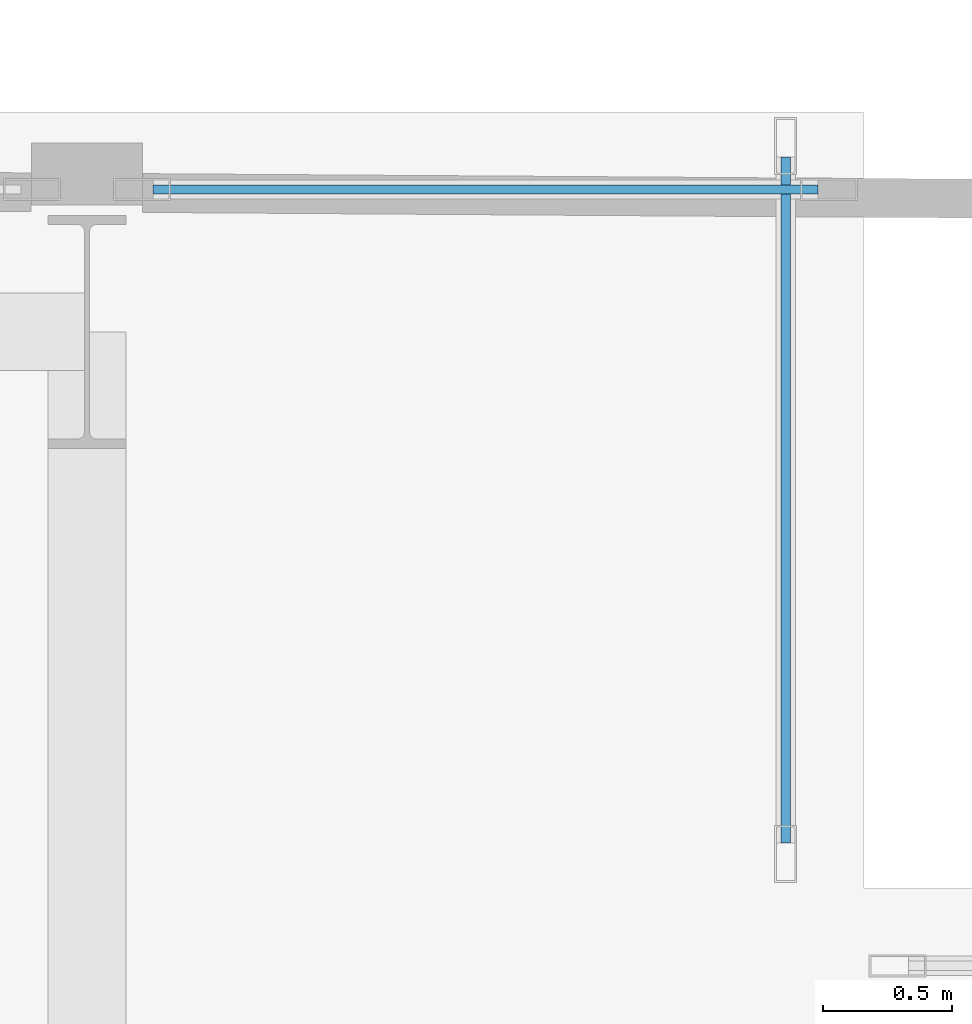
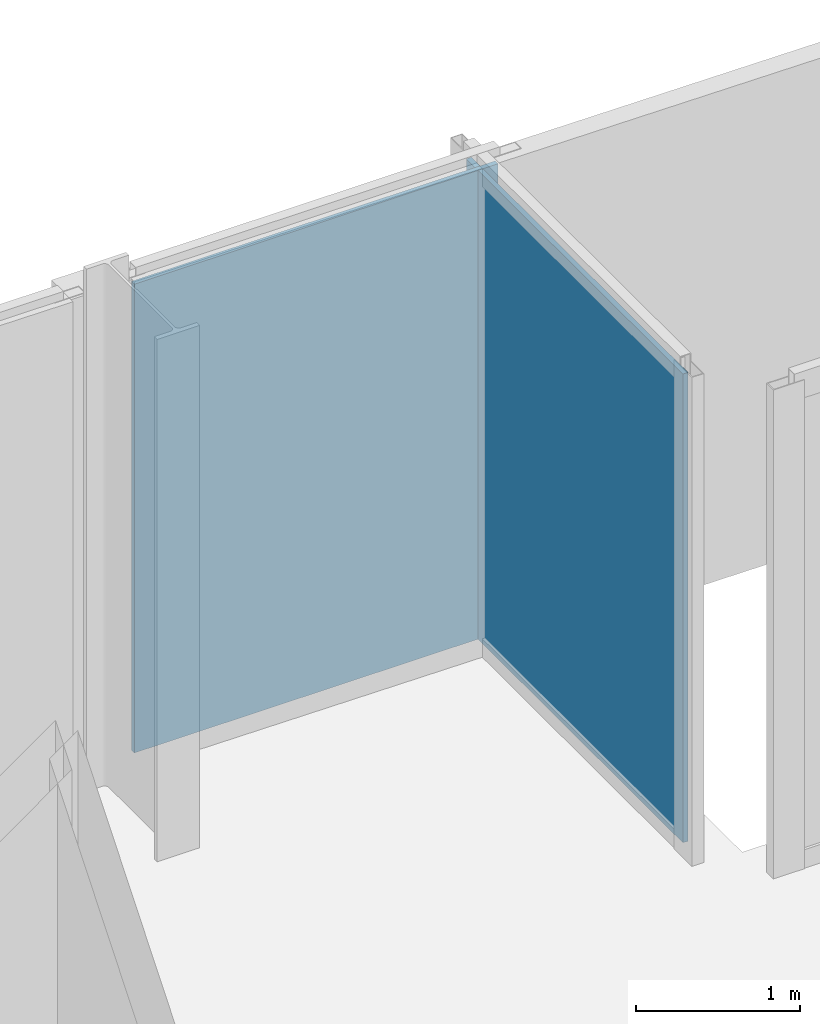
# One storey, part 18 of 27: 2 plates, 2 elements without a shape of their own.
"""IFC4 building model written with IfcOpenShell, lengths in metres."""

from ifc_helpers import new_model, si_unit, direction, frame, origin, origin_2d, place, context, subcontext, project, spatial, rectangle, extrude, material, layer, layer_set, type_object, element, aggregate, save


model = new_model("IFC4")

# Units and contexts
model_context = context("Model", 3, precision=1e-05, world=origin(), true_north=direction((0.0, 1.0)))
body_context = subcontext(model_context, "Body", "Model", "MODEL_VIEW")
ifc_project = project(units=[si_unit("LENGTHUNIT", "METRE"), si_unit("AREAUNIT", "SQUARE_METRE"), si_unit("VOLUMEUNIT", "CUBIC_METRE"), si_unit("PLANEANGLEUNIT", "RADIAN"), si_unit("MASSUNIT", "GRAM", prefix="KILO"), si_unit("THERMODYNAMICTEMPERATUREUNIT", "KELVIN"), si_unit("POWERUNIT", "WATT")], contexts=[model_context])

# Site, building, storey
site_placement = place(None, origin())
site = spatial("IfcSite", under=ifc_project, at=site_placement, CompositionType="ELEMENT")
building_placement = place(site_placement, origin())
building = spatial("IfcBuilding", under=site, at=building_placement, Name="Svarakhadi Broadcast Tower", CompositionType="ELEMENT")
storey_placement = place(building_placement, frame((0.0, 0.0, 59.699951171875)))
storey = spatial("IfcBuildingStorey", under=building, at=storey_placement, Name="L13", CompositionType="ELEMENT", Elevation=59.699951171875)

# Curtain wall, plate
ifc_material_1 = material(Name="Anodised Bronze Aluminium AA 6063-T6", Category="aluminium")
ifc_layer_1 = layer(ifc_material_1, 0.219970703125)
ifc_layer_set_1 = layer_set([ifc_layer_1], Name="Anodised Bronze Aluminium AA 6063-T6")
curtain_wall_type = type_object("IfcCurtainWallType", Name="CW_Sys_02", PredefinedType="NOTDEFINED", material=ifc_layer_set_1)
curtain_wall_1_placement = place(storey_placement, origin())
curtain_wall_1 = element("IfcCurtainWall", 1, at=curtain_wall_1_placement, inside=storey, type_object=curtain_wall_type, Name="L13 Unitised Facade Curtain Wall 06 Bay 4", PredefinedType="NOTDEFINED")
ifc_material_2 = material(Name="Double Low-E Laminated Acoustic Glass IGU 36 mm", Category="glass")
ifc_layer_2 = layer(ifc_material_2, 0.035888671875)
ifc_layer_set_2 = layer_set([ifc_layer_2], Name="Double Low-E Laminated Acoustic Glass IGU 36 mm")
plate_type = type_object("IfcPlateType", Name="CW_Sys_02_Pnl", PredefinedType="CURTAIN_PANEL", material=ifc_layer_set_2)
plate_1_placement = place(storey_placement, frame((19.5400390625, 47.699951171875, 0.074951171875), z_axis=(0.0, 0.0, 1.0), x_axis=(1.0, 0.0, 0.0)))
plate_1 = element("IfcPlate", 2, at=plate_1_placement, type_object=plate_type, Name="CW-02 panel 1.1", PredefinedType="CURTAIN_PANEL", context=body_context, shape_type="SweptSolid", body=[
    extrude(rectangle(XDim=2.570068359375, YDim=0.035888671875, at=origin_2d()), origin(), (0.0, 0.0, 1.0), 3.5),
])
aggregate(curtain_wall_1, [plate_1])

curtain_wall_2_placement = place(storey_placement, origin())
curtain_wall_2 = element("IfcCurtainWall", 3, at=curtain_wall_2_placement, inside=storey, type_object=curtain_wall_type, Name="L13 Unitised Facade Curtain Wall 07", PredefinedType="NOTDEFINED")
plate_2_placement = place(storey_placement, frame((20.699951171875, 46.5, 0.074951171875), z_axis=(0.0, 0.0, 1.0), x_axis=(0.0, -1.0, 0.0)))
plate_2 = element("IfcPlate", 4, at=plate_2_placement, type_object=plate_type, Name="CW-02 panel 1.1", PredefinedType="CURTAIN_PANEL", context=body_context, shape_type="SweptSolid", body=[
    extrude(rectangle(XDim=2.64990234375, YDim=0.035888671875, at=origin_2d()), origin(), (0.0, 0.0, 1.0), 3.5),
])
aggregate(curtain_wall_2, [plate_2])

save(model, "model.ifc")
